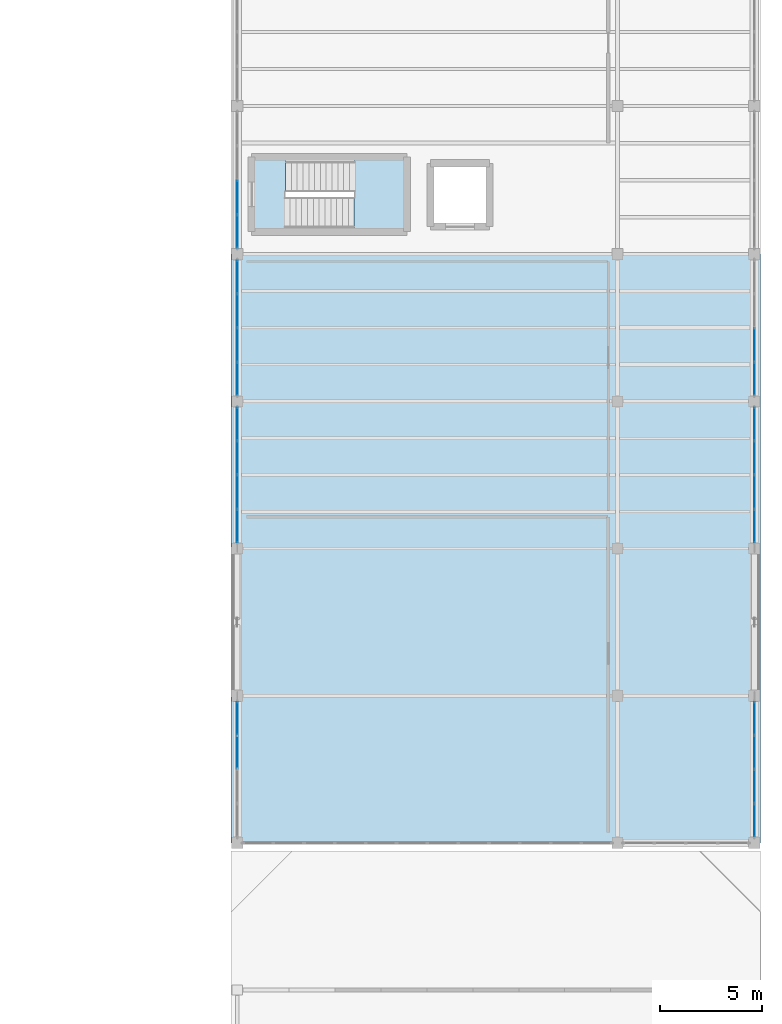
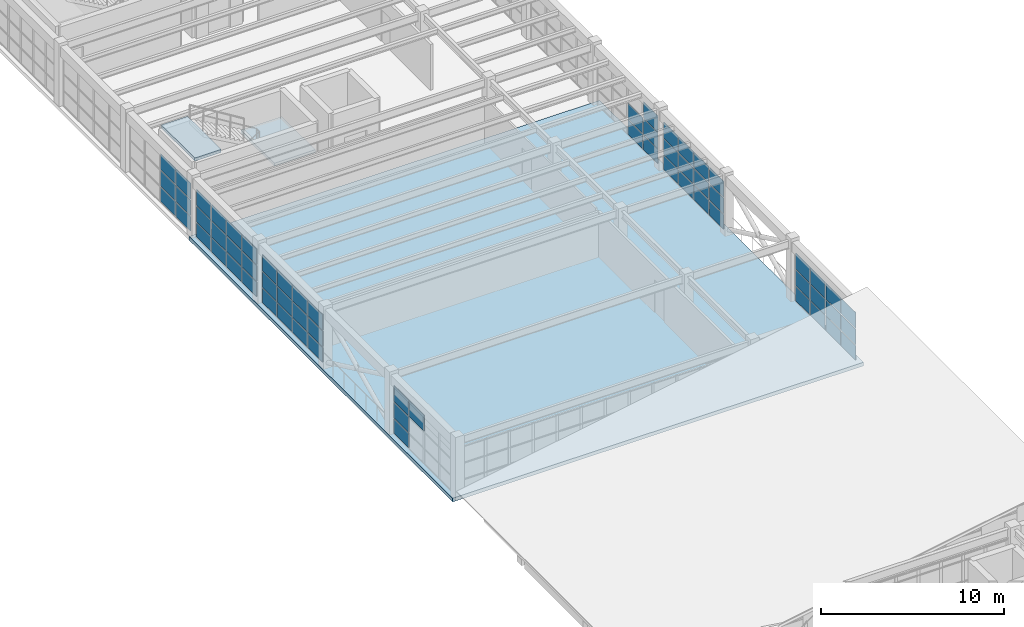
# One storey, part 47 of 66: 63 plates, 3 slabs, 8 elements without a shape of their own.
"""IFC4 building model written with IfcOpenShell, lengths in metres."""

from ifc_helpers import new_model, si_unit, direction, frame, origin, origin_2d, place, context, subcontext, project, spatial, polyline, rectangle, outline, extrude, material, layer, layer_set, type_object, element, aggregate, save


model = new_model("IFC4")

# Units and contexts
model_context = context("Model", 3, precision=1e-05, world=origin(), true_north=direction((0.0, 1.0)))
body_context = subcontext(model_context, "Body", "Model", "MODEL_VIEW")
ifc_project = project(units=[si_unit("LENGTHUNIT", "METRE"), si_unit("AREAUNIT", "SQUARE_METRE"), si_unit("VOLUMEUNIT", "CUBIC_METRE"), si_unit("PLANEANGLEUNIT", "RADIAN"), si_unit("MASSUNIT", "GRAM", prefix="KILO")], contexts=[model_context])

# Site, building, storey
site_placement = place(None, origin())
site = spatial("IfcSite", under=ifc_project, at=site_placement, CompositionType="ELEMENT")
building_placement = place(site_placement, origin())
building = spatial("IfcBuilding", under=site, at=building_placement, Name="Candilejo Ridge Gondola Terminal", CompositionType="ELEMENT")
storey_placement = place(building_placement, frame((0.0, 0.0, 14.39990234375)))
storey = spatial("IfcBuildingStorey", under=building, at=storey_placement, Name="L03", CompositionType="ELEMENT", Elevation=14.39990234375)

# Curtain wall, plates
ifc_material_1 = material(Name="Anodised aluminium AA 6063-T6", Category="aluminium")
ifc_layer_1 = layer(ifc_material_1, 0.169921875)
ifc_layer_set_1 = layer_set([ifc_layer_1], Name="ARC-CW-TOWER-3000-670X329")
curtain_wall_type_1 = type_object("IfcCurtainWallType", Name="ARC-CW-TOWER-3000-670X329", PredefinedType="NOTDEFINED", material=ifc_layer_set_1)
curtain_wall_1_placement = place(storey_placement, origin())
curtain_wall_1 = element("IfcCurtainWall", 1, at=curtain_wall_1_placement, inside=storey, type_object=curtain_wall_type_1, Name="Curtain wall V5 L03-196", PredefinedType="NOTDEFINED")
ifc_material_2 = material(Name="Low-E laminated double glazing 6+12A+6+1.52PVB+6 mm", Category="glass")
ifc_layer_2 = layer(ifc_material_2, 0.028076171875)
ifc_layer_set_2 = layer_set([ifc_layer_2], Name="ARC-CW-GLAZ-PANEL")
plate_type = type_object("IfcPlateType", Name="ARC-CW-GLAZ-PANEL", PredefinedType="CURTAIN_PANEL", material=ifc_layer_set_2)
plate_1_placement = place(storey_placement, frame((150.0, 74.6875, 2.18017578125), z_axis=(0.0, 0.0, 1.0), x_axis=(0.0, 1.0, 0.0)))
plate_1 = element("IfcPlate", 2, at=plate_1_placement, type_object=plate_type, Name="CW-67X32 panel 3.3", PredefinedType="CURTAIN_PANEL", context=body_context, shape_type="SweptSolid", body=[
    extrude(rectangle(XDim=1.610107421875, YDim=0.028076171875, at=origin_2d()), origin(), (0.0, 0.0, 1.0), 1.050048828125),
])
plate_2_placement = place(storey_placement, frame((150.0, 76.34619140625, 0.06005859375), z_axis=(0.0, 0.0, 1.0), x_axis=(0.0, 1.0, 0.0)))
plate_2 = element("IfcPlate", 3, at=plate_2_placement, type_object=plate_type, Name="CW-67X32 panel 4.1", PredefinedType="CURTAIN_PANEL", context=body_context, shape_type="SweptSolid", body=[
    extrude(rectangle(XDim=1.577392578125, YDim=0.028076171875, at=origin_2d()), origin(), (0.0, 0.0, 1.0), 0.9599609375),
])
plate_3_placement = place(storey_placement, frame((150.0, 76.34619140625, 1.080078125), z_axis=(0.0, 0.0, 1.0), x_axis=(0.0, 1.0, 0.0)))
plate_3 = element("IfcPlate", 4, at=plate_3_placement, type_object=plate_type, Name="CW-67X32 panel 4.2", PredefinedType="CURTAIN_PANEL", context=body_context, shape_type="SweptSolid", body=[
    extrude(rectangle(XDim=1.577392578125, YDim=0.028076171875, at=origin_2d()), origin(), (0.0, 0.0, 1.0), 1.0400390625),
])
plate_4_placement = place(storey_placement, frame((150.0, 76.34619140625, 2.18017578125), z_axis=(0.0, 0.0, 1.0), x_axis=(0.0, 1.0, 0.0)))
plate_4 = element("IfcPlate", 5, at=plate_4_placement, type_object=plate_type, Name="CW-67X32 panel 4.3", PredefinedType="CURTAIN_PANEL", context=body_context, shape_type="SweptSolid", body=[
    extrude(rectangle(XDim=1.577392578125, YDim=0.028076171875, at=origin_2d()), origin(), (0.0, 0.0, 1.0), 1.050048828125),
])
aggregate(curtain_wall_1, [plate_1, plate_2, plate_3, plate_4])

curtain_wall_2_placement = place(storey_placement, origin())
curtain_wall_2 = element("IfcCurtainWall", 6, at=curtain_wall_2_placement, inside=storey, type_object=curtain_wall_type_1, Name="Curtain wall V5 L03-197", PredefinedType="NOTDEFINED")
plate_5_placement = place(storey_placement, frame((175.300048828125, 71.353759765625, 0.06005859375), z_axis=(0.0, 0.0, 1.0), x_axis=(0.0, 1.0, 0.0)))
plate_5 = element("IfcPlate", 7, at=plate_5_placement, type_object=plate_type, Name="CW-67X32 panel 1.1", PredefinedType="CURTAIN_PANEL", context=body_context, shape_type="SweptSolid", body=[
    extrude(rectangle(XDim=1.577392578125, YDim=0.028076171875, at=origin_2d()), origin(), (0.0, 0.0, 1.0), 0.9599609375),
])
plate_6_placement = place(storey_placement, frame((175.300048828125, 71.353759765625, 1.080078125), z_axis=(0.0, 0.0, 1.0), x_axis=(0.0, 1.0, 0.0)))
plate_6 = element("IfcPlate", 8, at=plate_6_placement, type_object=plate_type, Name="CW-67X32 panel 1.2", PredefinedType="CURTAIN_PANEL", context=body_context, shape_type="SweptSolid", body=[
    extrude(rectangle(XDim=1.577392578125, YDim=0.028076171875, at=origin_2d()), origin(), (0.0, 0.0, 1.0), 1.0400390625),
])
plate_7_placement = place(storey_placement, frame((175.300048828125, 71.353759765625, 2.18017578125), z_axis=(0.0, 0.0, 1.0), x_axis=(0.0, 1.0, 0.0)))
plate_7 = element("IfcPlate", 9, at=plate_7_placement, type_object=plate_type, Name="CW-67X32 panel 1.3", PredefinedType="CURTAIN_PANEL", context=body_context, shape_type="SweptSolid", body=[
    extrude(rectangle(XDim=1.577392578125, YDim=0.028076171875, at=origin_2d()), origin(), (0.0, 0.0, 1.0), 1.050048828125),
])
plate_8_placement = place(storey_placement, frame((175.300048828125, 73.012451171875, 0.06005859375), z_axis=(0.0, 0.0, 1.0), x_axis=(0.0, 1.0, 0.0)))
plate_8 = element("IfcPlate", 10, at=plate_8_placement, type_object=plate_type, Name="CW-67X32 panel 2.1", PredefinedType="CURTAIN_PANEL", context=body_context, shape_type="SweptSolid", body=[
    extrude(rectangle(XDim=1.610107421875, YDim=0.028076171875, at=origin_2d()), origin(), (0.0, 0.0, 1.0), 0.9599609375),
])
plate_9_placement = place(storey_placement, frame((175.300048828125, 73.012451171875, 1.080078125), z_axis=(0.0, 0.0, 1.0), x_axis=(0.0, 1.0, 0.0)))
plate_9 = element("IfcPlate", 11, at=plate_9_placement, type_object=plate_type, Name="CW-67X32 panel 2.2", PredefinedType="CURTAIN_PANEL", context=body_context, shape_type="SweptSolid", body=[
    extrude(rectangle(XDim=1.610107421875, YDim=0.028076171875, at=origin_2d()), origin(), (0.0, 0.0, 1.0), 1.0400390625),
])
plate_10_placement = place(storey_placement, frame((175.300048828125, 73.012451171875, 2.18017578125), z_axis=(0.0, 0.0, 1.0), x_axis=(0.0, 1.0, 0.0)))
plate_10 = element("IfcPlate", 12, at=plate_10_placement, type_object=plate_type, Name="CW-67X32 panel 2.3", PredefinedType="CURTAIN_PANEL", context=body_context, shape_type="SweptSolid", body=[
    extrude(rectangle(XDim=1.610107421875, YDim=0.028076171875, at=origin_2d()), origin(), (0.0, 0.0, 1.0), 1.050048828125),
])
plate_11_placement = place(storey_placement, frame((175.300048828125, 74.6875, 0.06005859375), z_axis=(0.0, 0.0, 1.0), x_axis=(0.0, 1.0, 0.0)))
plate_11 = element("IfcPlate", 13, at=plate_11_placement, type_object=plate_type, Name="CW-67X32 panel 3.1", PredefinedType="CURTAIN_PANEL", context=body_context, shape_type="SweptSolid", body=[
    extrude(rectangle(XDim=1.610107421875, YDim=0.028076171875, at=origin_2d()), origin(), (0.0, 0.0, 1.0), 0.9599609375),
])
plate_12_placement = place(storey_placement, frame((175.300048828125, 74.6875, 1.080078125), z_axis=(0.0, 0.0, 1.0), x_axis=(0.0, 1.0, 0.0)))
plate_12 = element("IfcPlate", 14, at=plate_12_placement, type_object=plate_type, Name="CW-67X32 panel 3.2", PredefinedType="CURTAIN_PANEL", context=body_context, shape_type="SweptSolid", body=[
    extrude(rectangle(XDim=1.610107421875, YDim=0.028076171875, at=origin_2d()), origin(), (0.0, 0.0, 1.0), 1.0400390625),
])
plate_13_placement = place(storey_placement, frame((175.300048828125, 74.6875, 2.18017578125), z_axis=(0.0, 0.0, 1.0), x_axis=(0.0, 1.0, 0.0)))
plate_13 = element("IfcPlate", 15, at=plate_13_placement, type_object=plate_type, Name="CW-67X32 panel 3.3", PredefinedType="CURTAIN_PANEL", context=body_context, shape_type="SweptSolid", body=[
    extrude(rectangle(XDim=1.610107421875, YDim=0.028076171875, at=origin_2d()), origin(), (0.0, 0.0, 1.0), 1.050048828125),
])
plate_14_placement = place(storey_placement, frame((175.300048828125, 76.34619140625, 0.06005859375), z_axis=(0.0, 0.0, 1.0), x_axis=(0.0, 1.0, 0.0)))
plate_14 = element("IfcPlate", 16, at=plate_14_placement, type_object=plate_type, Name="CW-67X32 panel 4.1", PredefinedType="CURTAIN_PANEL", context=body_context, shape_type="SweptSolid", body=[
    extrude(rectangle(XDim=1.577392578125, YDim=0.028076171875, at=origin_2d()), origin(), (0.0, 0.0, 1.0), 0.9599609375),
])
plate_15_placement = place(storey_placement, frame((175.300048828125, 76.34619140625, 1.080078125), z_axis=(0.0, 0.0, 1.0), x_axis=(0.0, 1.0, 0.0)))
plate_15 = element("IfcPlate", 17, at=plate_15_placement, type_object=plate_type, Name="CW-67X32 panel 4.2", PredefinedType="CURTAIN_PANEL", context=body_context, shape_type="SweptSolid", body=[
    extrude(rectangle(XDim=1.577392578125, YDim=0.028076171875, at=origin_2d()), origin(), (0.0, 0.0, 1.0), 1.0400390625),
])
plate_16_placement = place(storey_placement, frame((175.300048828125, 76.34619140625, 2.18017578125), z_axis=(0.0, 0.0, 1.0), x_axis=(0.0, 1.0, 0.0)))
plate_16 = element("IfcPlate", 18, at=plate_16_placement, type_object=plate_type, Name="CW-67X32 panel 4.3", PredefinedType="CURTAIN_PANEL", context=body_context, shape_type="SweptSolid", body=[
    extrude(rectangle(XDim=1.577392578125, YDim=0.028076171875, at=origin_2d()), origin(), (0.0, 0.0, 1.0), 1.050048828125),
])
aggregate(curtain_wall_2, [plate_5, plate_6, plate_7, plate_8, plate_9, plate_10, plate_11, plate_12, plate_13, plate_14, plate_15, plate_16])

curtain_wall_3_placement = place(storey_placement, origin())
curtain_wall_3 = element("IfcCurtainWall", 19, at=curtain_wall_3_placement, inside=storey, type_object=curtain_wall_type_1, Name="Curtain wall V5 L03-198", PredefinedType="NOTDEFINED")
plate_17_placement = place(storey_placement, frame((150.0, 85.753662109375, 0.06005859375), z_axis=(0.0, 0.0, 1.0), x_axis=(0.0, 1.0, 0.0)))
plate_17 = element("IfcPlate", 20, at=plate_17_placement, type_object=plate_type, Name="CW-67X32 panel 1.1", PredefinedType="CURTAIN_PANEL", context=body_context, shape_type="SweptSolid", body=[
    extrude(rectangle(XDim=1.577392578125, YDim=0.028076171875, at=origin_2d()), origin(), (0.0, 0.0, 1.0), 0.9599609375),
])
plate_18_placement = place(storey_placement, frame((150.0, 85.753662109375, 1.080078125), z_axis=(0.0, 0.0, 1.0), x_axis=(0.0, 1.0, 0.0)))
plate_18 = element("IfcPlate", 21, at=plate_18_placement, type_object=plate_type, Name="CW-67X32 panel 1.2", PredefinedType="CURTAIN_PANEL", context=body_context, shape_type="SweptSolid", body=[
    extrude(rectangle(XDim=1.577392578125, YDim=0.028076171875, at=origin_2d()), origin(), (0.0, 0.0, 1.0), 1.0400390625),
])
plate_19_placement = place(storey_placement, frame((150.0, 85.753662109375, 2.18017578125), z_axis=(0.0, 0.0, 1.0), x_axis=(0.0, 1.0, 0.0)))
plate_19 = element("IfcPlate", 22, at=plate_19_placement, type_object=plate_type, Name="CW-67X32 panel 1.3", PredefinedType="CURTAIN_PANEL", context=body_context, shape_type="SweptSolid", body=[
    extrude(rectangle(XDim=1.577392578125, YDim=0.028076171875, at=origin_2d()), origin(), (0.0, 0.0, 1.0), 1.050048828125),
])
plate_20_placement = place(storey_placement, frame((150.0, 87.41259765625, 0.06005859375), z_axis=(0.0, 0.0, 1.0), x_axis=(0.0, 1.0, 0.0)))
plate_20 = element("IfcPlate", 23, at=plate_20_placement, type_object=plate_type, Name="CW-67X32 panel 2.1", PredefinedType="CURTAIN_PANEL", context=body_context, shape_type="SweptSolid", body=[
    extrude(rectangle(XDim=1.610107421875, YDim=0.028076171875, at=origin_2d()), origin(), (0.0, 0.0, 1.0), 0.9599609375),
])
plate_21_placement = place(storey_placement, frame((150.0, 87.41259765625, 1.080078125), z_axis=(0.0, 0.0, 1.0), x_axis=(0.0, 1.0, 0.0)))
plate_21 = element("IfcPlate", 24, at=plate_21_placement, type_object=plate_type, Name="CW-67X32 panel 2.2", PredefinedType="CURTAIN_PANEL", context=body_context, shape_type="SweptSolid", body=[
    extrude(rectangle(XDim=1.610107421875, YDim=0.028076171875, at=origin_2d()), origin(), (0.0, 0.0, 1.0), 1.0400390625),
])
plate_22_placement = place(storey_placement, frame((150.0, 87.41259765625, 2.18017578125), z_axis=(0.0, 0.0, 1.0), x_axis=(0.0, 1.0, 0.0)))
plate_22 = element("IfcPlate", 25, at=plate_22_placement, type_object=plate_type, Name="CW-67X32 panel 2.3", PredefinedType="CURTAIN_PANEL", context=body_context, shape_type="SweptSolid", body=[
    extrude(rectangle(XDim=1.610107421875, YDim=0.028076171875, at=origin_2d()), origin(), (0.0, 0.0, 1.0), 1.050048828125),
])
plate_23_placement = place(storey_placement, frame((150.0, 89.08740234375, 0.06005859375), z_axis=(0.0, 0.0, 1.0), x_axis=(0.0, 1.0, 0.0)))
plate_23 = element("IfcPlate", 26, at=plate_23_placement, type_object=plate_type, Name="CW-67X32 panel 3.1", PredefinedType="CURTAIN_PANEL", context=body_context, shape_type="SweptSolid", body=[
    extrude(rectangle(XDim=1.610107421875, YDim=0.028076171875, at=origin_2d()), origin(), (0.0, 0.0, 1.0), 0.9599609375),
])
plate_24_placement = place(storey_placement, frame((150.0, 89.08740234375, 1.080078125), z_axis=(0.0, 0.0, 1.0), x_axis=(0.0, 1.0, 0.0)))
plate_24 = element("IfcPlate", 27, at=plate_24_placement, type_object=plate_type, Name="CW-67X32 panel 3.2", PredefinedType="CURTAIN_PANEL", context=body_context, shape_type="SweptSolid", body=[
    extrude(rectangle(XDim=1.610107421875, YDim=0.028076171875, at=origin_2d()), origin(), (0.0, 0.0, 1.0), 1.0400390625),
])
plate_25_placement = place(storey_placement, frame((150.0, 89.08740234375, 2.18017578125), z_axis=(0.0, 0.0, 1.0), x_axis=(0.0, 1.0, 0.0)))
plate_25 = element("IfcPlate", 28, at=plate_25_placement, type_object=plate_type, Name="CW-67X32 panel 3.3", PredefinedType="CURTAIN_PANEL", context=body_context, shape_type="SweptSolid", body=[
    extrude(rectangle(XDim=1.610107421875, YDim=0.028076171875, at=origin_2d()), origin(), (0.0, 0.0, 1.0), 1.050048828125),
])
plate_26_placement = place(storey_placement, frame((150.0, 90.746337890625, 0.06005859375), z_axis=(0.0, 0.0, 1.0), x_axis=(0.0, 1.0, 0.0)))
plate_26 = element("IfcPlate", 29, at=plate_26_placement, type_object=plate_type, Name="CW-67X32 panel 4.1", PredefinedType="CURTAIN_PANEL", context=body_context, shape_type="SweptSolid", body=[
    extrude(rectangle(XDim=1.577392578125, YDim=0.028076171875, at=origin_2d()), origin(), (0.0, 0.0, 1.0), 0.9599609375),
])
plate_27_placement = place(storey_placement, frame((150.0, 90.746337890625, 1.080078125), z_axis=(0.0, 0.0, 1.0), x_axis=(0.0, 1.0, 0.0)))
plate_27 = element("IfcPlate", 30, at=plate_27_placement, type_object=plate_type, Name="CW-67X32 panel 4.2", PredefinedType="CURTAIN_PANEL", context=body_context, shape_type="SweptSolid", body=[
    extrude(rectangle(XDim=1.577392578125, YDim=0.028076171875, at=origin_2d()), origin(), (0.0, 0.0, 1.0), 1.0400390625),
])
plate_28_placement = place(storey_placement, frame((150.0, 90.746337890625, 2.18017578125), z_axis=(0.0, 0.0, 1.0), x_axis=(0.0, 1.0, 0.0)))
plate_28 = element("IfcPlate", 31, at=plate_28_placement, type_object=plate_type, Name="CW-67X32 panel 4.3", PredefinedType="CURTAIN_PANEL", context=body_context, shape_type="SweptSolid", body=[
    extrude(rectangle(XDim=1.577392578125, YDim=0.028076171875, at=origin_2d()), origin(), (0.0, 0.0, 1.0), 1.050048828125),
])
aggregate(curtain_wall_3, [plate_17, plate_18, plate_19, plate_20, plate_21, plate_22, plate_23, plate_24, plate_25, plate_26, plate_27, plate_28])

curtain_wall_4_placement = place(storey_placement, origin())
curtain_wall_4 = element("IfcCurtainWall", 32, at=curtain_wall_4_placement, inside=storey, type_object=curtain_wall_type_1, Name="Curtain wall V5 L03-199", PredefinedType="NOTDEFINED")
plate_29_placement = place(storey_placement, frame((175.300048828125, 85.753662109375, 0.06005859375), z_axis=(0.0, 0.0, 1.0), x_axis=(0.0, 1.0, 0.0)))
plate_29 = element("IfcPlate", 33, at=plate_29_placement, type_object=plate_type, Name="CW-67X32 panel 1.1", PredefinedType="CURTAIN_PANEL", context=body_context, shape_type="SweptSolid", body=[
    extrude(rectangle(XDim=1.577392578125, YDim=0.028076171875, at=origin_2d()), origin(), (0.0, 0.0, 1.0), 0.9599609375),
])
plate_30_placement = place(storey_placement, frame((175.300048828125, 85.753662109375, 1.080078125), z_axis=(0.0, 0.0, 1.0), x_axis=(0.0, 1.0, 0.0)))
plate_30 = element("IfcPlate", 34, at=plate_30_placement, type_object=plate_type, Name="CW-67X32 panel 1.2", PredefinedType="CURTAIN_PANEL", context=body_context, shape_type="SweptSolid", body=[
    extrude(rectangle(XDim=1.577392578125, YDim=0.028076171875, at=origin_2d()), origin(), (0.0, 0.0, 1.0), 1.0400390625),
])
plate_31_placement = place(storey_placement, frame((175.300048828125, 85.753662109375, 2.18017578125), z_axis=(0.0, 0.0, 1.0), x_axis=(0.0, 1.0, 0.0)))
plate_31 = element("IfcPlate", 35, at=plate_31_placement, type_object=plate_type, Name="CW-67X32 panel 1.3", PredefinedType="CURTAIN_PANEL", context=body_context, shape_type="SweptSolid", body=[
    extrude(rectangle(XDim=1.577392578125, YDim=0.028076171875, at=origin_2d()), origin(), (0.0, 0.0, 1.0), 1.050048828125),
])
plate_32_placement = place(storey_placement, frame((175.300048828125, 87.41259765625, 0.06005859375), z_axis=(0.0, 0.0, 1.0), x_axis=(0.0, 1.0, 0.0)))
plate_32 = element("IfcPlate", 36, at=plate_32_placement, type_object=plate_type, Name="CW-67X32 panel 2.1", PredefinedType="CURTAIN_PANEL", context=body_context, shape_type="SweptSolid", body=[
    extrude(rectangle(XDim=1.610107421875, YDim=0.028076171875, at=origin_2d()), origin(), (0.0, 0.0, 1.0), 0.9599609375),
])
plate_33_placement = place(storey_placement, frame((175.300048828125, 87.41259765625, 1.080078125), z_axis=(0.0, 0.0, 1.0), x_axis=(0.0, 1.0, 0.0)))
plate_33 = element("IfcPlate", 37, at=plate_33_placement, type_object=plate_type, Name="CW-67X32 panel 2.2", PredefinedType="CURTAIN_PANEL", context=body_context, shape_type="SweptSolid", body=[
    extrude(rectangle(XDim=1.610107421875, YDim=0.028076171875, at=origin_2d()), origin(), (0.0, 0.0, 1.0), 1.0400390625),
])
plate_34_placement = place(storey_placement, frame((175.300048828125, 87.41259765625, 2.18017578125), z_axis=(0.0, 0.0, 1.0), x_axis=(0.0, 1.0, 0.0)))
plate_34 = element("IfcPlate", 38, at=plate_34_placement, type_object=plate_type, Name="CW-67X32 panel 2.3", PredefinedType="CURTAIN_PANEL", context=body_context, shape_type="SweptSolid", body=[
    extrude(rectangle(XDim=1.610107421875, YDim=0.028076171875, at=origin_2d()), origin(), (0.0, 0.0, 1.0), 1.050048828125),
])
plate_35_placement = place(storey_placement, frame((175.300048828125, 89.08740234375, 0.06005859375), z_axis=(0.0, 0.0, 1.0), x_axis=(0.0, 1.0, 0.0)))
plate_35 = element("IfcPlate", 39, at=plate_35_placement, type_object=plate_type, Name="CW-67X32 panel 3.1", PredefinedType="CURTAIN_PANEL", context=body_context, shape_type="SweptSolid", body=[
    extrude(rectangle(XDim=1.610107421875, YDim=0.028076171875, at=origin_2d()), origin(), (0.0, 0.0, 1.0), 0.9599609375),
])
plate_36_placement = place(storey_placement, frame((175.300048828125, 89.08740234375, 1.080078125), z_axis=(0.0, 0.0, 1.0), x_axis=(0.0, 1.0, 0.0)))
plate_36 = element("IfcPlate", 40, at=plate_36_placement, type_object=plate_type, Name="CW-67X32 panel 3.2", PredefinedType="CURTAIN_PANEL", context=body_context, shape_type="SweptSolid", body=[
    extrude(rectangle(XDim=1.610107421875, YDim=0.028076171875, at=origin_2d()), origin(), (0.0, 0.0, 1.0), 1.0400390625),
])
plate_37_placement = place(storey_placement, frame((175.300048828125, 89.08740234375, 2.18017578125), z_axis=(0.0, 0.0, 1.0), x_axis=(0.0, 1.0, 0.0)))
plate_37 = element("IfcPlate", 41, at=plate_37_placement, type_object=plate_type, Name="CW-67X32 panel 3.3", PredefinedType="CURTAIN_PANEL", context=body_context, shape_type="SweptSolid", body=[
    extrude(rectangle(XDim=1.610107421875, YDim=0.028076171875, at=origin_2d()), origin(), (0.0, 0.0, 1.0), 1.050048828125),
])
plate_38_placement = place(storey_placement, frame((175.300048828125, 90.746337890625, 0.06005859375), z_axis=(0.0, 0.0, 1.0), x_axis=(0.0, 1.0, 0.0)))
plate_38 = element("IfcPlate", 42, at=plate_38_placement, type_object=plate_type, Name="CW-67X32 panel 4.1", PredefinedType="CURTAIN_PANEL", context=body_context, shape_type="SweptSolid", body=[
    extrude(rectangle(XDim=1.577392578125, YDim=0.028076171875, at=origin_2d()), origin(), (0.0, 0.0, 1.0), 0.9599609375),
])
plate_39_placement = place(storey_placement, frame((175.300048828125, 90.746337890625, 1.080078125), z_axis=(0.0, 0.0, 1.0), x_axis=(0.0, 1.0, 0.0)))
plate_39 = element("IfcPlate", 43, at=plate_39_placement, type_object=plate_type, Name="CW-67X32 panel 4.2", PredefinedType="CURTAIN_PANEL", context=body_context, shape_type="SweptSolid", body=[
    extrude(rectangle(XDim=1.577392578125, YDim=0.028076171875, at=origin_2d()), origin(), (0.0, 0.0, 1.0), 1.0400390625),
])
plate_40_placement = place(storey_placement, frame((175.300048828125, 90.746337890625, 2.18017578125), z_axis=(0.0, 0.0, 1.0), x_axis=(0.0, 1.0, 0.0)))
plate_40 = element("IfcPlate", 44, at=plate_40_placement, type_object=plate_type, Name="CW-67X32 panel 4.3", PredefinedType="CURTAIN_PANEL", context=body_context, shape_type="SweptSolid", body=[
    extrude(rectangle(XDim=1.577392578125, YDim=0.028076171875, at=origin_2d()), origin(), (0.0, 0.0, 1.0), 1.050048828125),
])
aggregate(curtain_wall_4, [plate_29, plate_30, plate_31, plate_32, plate_33, plate_34, plate_35, plate_36, plate_37, plate_38, plate_39, plate_40])

curtain_wall_5_placement = place(storey_placement, origin())
curtain_wall_5 = element("IfcCurtainWall", 45, at=curtain_wall_5_placement, inside=storey, type_object=curtain_wall_type_1, Name="Curtain wall V5 L03-200", PredefinedType="NOTDEFINED")
plate_41_placement = place(storey_placement, frame((150.0, 92.953857421875, 0.06005859375), z_axis=(0.0, 0.0, 1.0), x_axis=(0.0, 1.0, 0.0)))
plate_41 = element("IfcPlate", 46, at=plate_41_placement, type_object=plate_type, Name="CW-67X32 panel 1.1", PredefinedType="CURTAIN_PANEL", context=body_context, shape_type="SweptSolid", body=[
    extrude(rectangle(XDim=1.577392578125, YDim=0.028076171875, at=origin_2d()), origin(), (0.0, 0.0, 1.0), 0.9599609375),
])
plate_42_placement = place(storey_placement, frame((150.0, 92.953857421875, 1.080078125), z_axis=(0.0, 0.0, 1.0), x_axis=(0.0, 1.0, 0.0)))
plate_42 = element("IfcPlate", 47, at=plate_42_placement, type_object=plate_type, Name="CW-67X32 panel 1.2", PredefinedType="CURTAIN_PANEL", context=body_context, shape_type="SweptSolid", body=[
    extrude(rectangle(XDim=1.577392578125, YDim=0.028076171875, at=origin_2d()), origin(), (0.0, 0.0, 1.0), 1.0400390625),
])
plate_43_placement = place(storey_placement, frame((150.0, 92.953857421875, 2.18017578125), z_axis=(0.0, 0.0, 1.0), x_axis=(0.0, 1.0, 0.0)))
plate_43 = element("IfcPlate", 48, at=plate_43_placement, type_object=plate_type, Name="CW-67X32 panel 1.3", PredefinedType="CURTAIN_PANEL", context=body_context, shape_type="SweptSolid", body=[
    extrude(rectangle(XDim=1.577392578125, YDim=0.028076171875, at=origin_2d()), origin(), (0.0, 0.0, 1.0), 1.050048828125),
])
plate_44_placement = place(storey_placement, frame((150.0, 94.612548828125, 0.06005859375), z_axis=(0.0, 0.0, 1.0), x_axis=(0.0, 1.0, 0.0)))
plate_44 = element("IfcPlate", 49, at=plate_44_placement, type_object=plate_type, Name="CW-67X32 panel 2.1", PredefinedType="CURTAIN_PANEL", context=body_context, shape_type="SweptSolid", body=[
    extrude(rectangle(XDim=1.610107421875, YDim=0.028076171875, at=origin_2d()), origin(), (0.0, 0.0, 1.0), 0.9599609375),
])
plate_45_placement = place(storey_placement, frame((150.0, 94.612548828125, 1.080078125), z_axis=(0.0, 0.0, 1.0), x_axis=(0.0, 1.0, 0.0)))
plate_45 = element("IfcPlate", 50, at=plate_45_placement, type_object=plate_type, Name="CW-67X32 panel 2.2", PredefinedType="CURTAIN_PANEL", context=body_context, shape_type="SweptSolid", body=[
    extrude(rectangle(XDim=1.610107421875, YDim=0.028076171875, at=origin_2d()), origin(), (0.0, 0.0, 1.0), 1.0400390625),
])
plate_46_placement = place(storey_placement, frame((150.0, 94.612548828125, 2.18017578125), z_axis=(0.0, 0.0, 1.0), x_axis=(0.0, 1.0, 0.0)))
plate_46 = element("IfcPlate", 51, at=plate_46_placement, type_object=plate_type, Name="CW-67X32 panel 2.3", PredefinedType="CURTAIN_PANEL", context=body_context, shape_type="SweptSolid", body=[
    extrude(rectangle(XDim=1.610107421875, YDim=0.028076171875, at=origin_2d()), origin(), (0.0, 0.0, 1.0), 1.050048828125),
])
plate_47_placement = place(storey_placement, frame((150.0, 96.28759765625, 0.06005859375), z_axis=(0.0, 0.0, 1.0), x_axis=(0.0, 1.0, 0.0)))
plate_47 = element("IfcPlate", 52, at=plate_47_placement, type_object=plate_type, Name="CW-67X32 panel 3.1", PredefinedType="CURTAIN_PANEL", context=body_context, shape_type="SweptSolid", body=[
    extrude(rectangle(XDim=1.610107421875, YDim=0.028076171875, at=origin_2d()), origin(), (0.0, 0.0, 1.0), 0.9599609375),
])
plate_48_placement = place(storey_placement, frame((150.0, 96.28759765625, 1.080078125), z_axis=(0.0, 0.0, 1.0), x_axis=(0.0, 1.0, 0.0)))
plate_48 = element("IfcPlate", 53, at=plate_48_placement, type_object=plate_type, Name="CW-67X32 panel 3.2", PredefinedType="CURTAIN_PANEL", context=body_context, shape_type="SweptSolid", body=[
    extrude(rectangle(XDim=1.610107421875, YDim=0.028076171875, at=origin_2d()), origin(), (0.0, 0.0, 1.0), 1.0400390625),
])
plate_49_placement = place(storey_placement, frame((150.0, 96.28759765625, 2.18017578125), z_axis=(0.0, 0.0, 1.0), x_axis=(0.0, 1.0, 0.0)))
plate_49 = element("IfcPlate", 54, at=plate_49_placement, type_object=plate_type, Name="CW-67X32 panel 3.3", PredefinedType="CURTAIN_PANEL", context=body_context, shape_type="SweptSolid", body=[
    extrude(rectangle(XDim=1.610107421875, YDim=0.028076171875, at=origin_2d()), origin(), (0.0, 0.0, 1.0), 1.050048828125),
])
plate_50_placement = place(storey_placement, frame((150.0, 97.9462890625, 0.06005859375), z_axis=(0.0, 0.0, 1.0), x_axis=(0.0, 1.0, 0.0)))
plate_50 = element("IfcPlate", 55, at=plate_50_placement, type_object=plate_type, Name="CW-67X32 panel 4.1", PredefinedType="CURTAIN_PANEL", context=body_context, shape_type="SweptSolid", body=[
    extrude(rectangle(XDim=1.577392578125, YDim=0.028076171875, at=origin_2d()), origin(), (0.0, 0.0, 1.0), 0.9599609375),
])
plate_51_placement = place(storey_placement, frame((150.0, 97.9462890625, 1.080078125), z_axis=(0.0, 0.0, 1.0), x_axis=(0.0, 1.0, 0.0)))
plate_51 = element("IfcPlate", 56, at=plate_51_placement, type_object=plate_type, Name="CW-67X32 panel 4.2", PredefinedType="CURTAIN_PANEL", context=body_context, shape_type="SweptSolid", body=[
    extrude(rectangle(XDim=1.577392578125, YDim=0.028076171875, at=origin_2d()), origin(), (0.0, 0.0, 1.0), 1.0400390625),
])
plate_52_placement = place(storey_placement, frame((150.0, 97.9462890625, 2.18017578125), z_axis=(0.0, 0.0, 1.0), x_axis=(0.0, 1.0, 0.0)))
plate_52 = element("IfcPlate", 57, at=plate_52_placement, type_object=plate_type, Name="CW-67X32 panel 4.3", PredefinedType="CURTAIN_PANEL", context=body_context, shape_type="SweptSolid", body=[
    extrude(rectangle(XDim=1.577392578125, YDim=0.028076171875, at=origin_2d()), origin(), (0.0, 0.0, 1.0), 1.050048828125),
])
aggregate(curtain_wall_5, [plate_41, plate_42, plate_43, plate_44, plate_45, plate_46, plate_47, plate_48, plate_49, plate_50, plate_51, plate_52])

curtain_wall_6_placement = place(storey_placement, origin())
curtain_wall_6 = element("IfcCurtainWall", 58, at=curtain_wall_6_placement, inside=storey, type_object=curtain_wall_type_1, Name="Curtain wall V5 L03-201", PredefinedType="NOTDEFINED")
plate_53_placement = place(storey_placement, frame((175.300048828125, 92.953857421875, 0.06005859375), z_axis=(0.0, 0.0, 1.0), x_axis=(0.0, 1.0, 0.0)))
plate_53 = element("IfcPlate", 59, at=plate_53_placement, type_object=plate_type, Name="CW-67X32 panel 1.1", PredefinedType="CURTAIN_PANEL", context=body_context, shape_type="SweptSolid", body=[
    extrude(rectangle(XDim=1.577392578125, YDim=0.028076171875, at=origin_2d()), origin(), (0.0, 0.0, 1.0), 0.9599609375),
])
plate_54_placement = place(storey_placement, frame((175.300048828125, 92.953857421875, 1.080078125), z_axis=(0.0, 0.0, 1.0), x_axis=(0.0, 1.0, 0.0)))
plate_54 = element("IfcPlate", 60, at=plate_54_placement, type_object=plate_type, Name="CW-67X32 panel 1.2", PredefinedType="CURTAIN_PANEL", context=body_context, shape_type="SweptSolid", body=[
    extrude(rectangle(XDim=1.577392578125, YDim=0.028076171875, at=origin_2d()), origin(), (0.0, 0.0, 1.0), 1.0400390625),
])
plate_55_placement = place(storey_placement, frame((175.300048828125, 92.953857421875, 2.18017578125), z_axis=(0.0, 0.0, 1.0), x_axis=(0.0, 1.0, 0.0)))
plate_55 = element("IfcPlate", 61, at=plate_55_placement, type_object=plate_type, Name="CW-67X32 panel 1.3", PredefinedType="CURTAIN_PANEL", context=body_context, shape_type="SweptSolid", body=[
    extrude(rectangle(XDim=1.577392578125, YDim=0.028076171875, at=origin_2d()), origin(), (0.0, 0.0, 1.0), 1.050048828125),
])
plate_56_placement = place(storey_placement, frame((175.300048828125, 94.612548828125, 0.06005859375), z_axis=(0.0, 0.0, 1.0), x_axis=(0.0, 1.0, 0.0)))
plate_56 = element("IfcPlate", 62, at=plate_56_placement, type_object=plate_type, Name="CW-67X32 panel 2.1", PredefinedType="CURTAIN_PANEL", context=body_context, shape_type="SweptSolid", body=[
    extrude(rectangle(XDim=1.610107421875, YDim=0.028076171875, at=origin_2d()), origin(), (0.0, 0.0, 1.0), 0.9599609375),
])
plate_57_placement = place(storey_placement, frame((175.300048828125, 94.612548828125, 1.080078125), z_axis=(0.0, 0.0, 1.0), x_axis=(0.0, 1.0, 0.0)))
plate_57 = element("IfcPlate", 63, at=plate_57_placement, type_object=plate_type, Name="CW-67X32 panel 2.2", PredefinedType="CURTAIN_PANEL", context=body_context, shape_type="SweptSolid", body=[
    extrude(rectangle(XDim=1.610107421875, YDim=0.028076171875, at=origin_2d()), origin(), (0.0, 0.0, 1.0), 1.0400390625),
])
aggregate(curtain_wall_6, [plate_53, plate_54, plate_55, plate_56, plate_57])

ifc_material_3 = material(Name="Anodised aluminium AA 6063-T6", Category="aluminium")
ifc_layer_3 = layer(ifc_material_3, 0.169921875)
ifc_layer_set_3 = layer_set([ifc_layer_3], Name="ARC-CW-TOWER-3000-675X329")
curtain_wall_type_2 = type_object("IfcCurtainWallType", Name="ARC-CW-TOWER-3000-675X329", PredefinedType="NOTDEFINED", material=ifc_layer_set_3)
curtain_wall_7_placement = place(storey_placement, origin())
curtain_wall_7 = element("IfcCurtainWall", 64, at=curtain_wall_7_placement, inside=storey, type_object=curtain_wall_type_2, Name="Curtain wall V5 L03-202", PredefinedType="NOTDEFINED")
plate_58_placement = place(storey_placement, frame((150.0, 100.159912109375, 0.06005859375), z_axis=(0.0, 0.0, 1.0), x_axis=(0.0, 1.0, 0.0)))
plate_58 = element("IfcPlate", 65, at=plate_58_placement, type_object=plate_type, Name="CW-67X32 panel 1.1", PredefinedType="CURTAIN_PANEL", context=body_context, shape_type="SweptSolid", body=[
    extrude(rectangle(XDim=1.590087890625, YDim=0.028076171875, at=origin_2d()), origin(), (0.0, 0.0, 1.0), 0.9599609375),
])
plate_59_placement = place(storey_placement, frame((150.0, 100.159912109375, 1.080078125), z_axis=(0.0, 0.0, 1.0), x_axis=(0.0, 1.0, 0.0)))
plate_59 = element("IfcPlate", 66, at=plate_59_placement, type_object=plate_type, Name="CW-67X32 panel 1.2", PredefinedType="CURTAIN_PANEL", context=body_context, shape_type="SweptSolid", body=[
    extrude(rectangle(XDim=1.590087890625, YDim=0.028076171875, at=origin_2d()), origin(), (0.0, 0.0, 1.0), 1.0400390625),
])
plate_60_placement = place(storey_placement, frame((150.0, 100.159912109375, 2.18017578125), z_axis=(0.0, 0.0, 1.0), x_axis=(0.0, 1.0, 0.0)))
plate_60 = element("IfcPlate", 67, at=plate_60_placement, type_object=plate_type, Name="CW-67X32 panel 1.3", PredefinedType="CURTAIN_PANEL", context=body_context, shape_type="SweptSolid", body=[
    extrude(rectangle(XDim=1.590087890625, YDim=0.028076171875, at=origin_2d()), origin(), (0.0, 0.0, 1.0), 1.050048828125),
])
plate_61_placement = place(storey_placement, frame((150.0, 101.831298828125, 0.06005859375), z_axis=(0.0, 0.0, 1.0), x_axis=(0.0, 1.0, 0.0)))
plate_61 = element("IfcPlate", 68, at=plate_61_placement, type_object=plate_type, Name="CW-67X32 panel 2.1", PredefinedType="CURTAIN_PANEL", context=body_context, shape_type="SweptSolid", body=[
    extrude(rectangle(XDim=1.62255859375, YDim=0.028076171875, at=origin_2d()), origin(), (0.0, 0.0, 1.0), 0.9599609375),
])
plate_62_placement = place(storey_placement, frame((150.0, 101.831298828125, 1.080078125), z_axis=(0.0, 0.0, 1.0), x_axis=(0.0, 1.0, 0.0)))
plate_62 = element("IfcPlate", 69, at=plate_62_placement, type_object=plate_type, Name="CW-67X32 panel 2.2", PredefinedType="CURTAIN_PANEL", context=body_context, shape_type="SweptSolid", body=[
    extrude(rectangle(XDim=1.62255859375, YDim=0.028076171875, at=origin_2d()), origin(), (0.0, 0.0, 1.0), 1.0400390625),
])
plate_63_placement = place(storey_placement, frame((150.0, 101.831298828125, 2.18017578125), z_axis=(0.0, 0.0, 1.0), x_axis=(0.0, 1.0, 0.0)))
plate_63 = element("IfcPlate", 70, at=plate_63_placement, type_object=plate_type, Name="CW-67X32 panel 2.3", PredefinedType="CURTAIN_PANEL", context=body_context, shape_type="SweptSolid", body=[
    extrude(rectangle(XDim=1.62255859375, YDim=0.028076171875, at=origin_2d()), origin(), (0.0, 0.0, 1.0), 1.050048828125),
])
aggregate(curtain_wall_7, [plate_58, plate_59, plate_60, plate_61, plate_62, plate_63])

# Slab
ifc_material_4 = material(Name="Concrete f'c 35 MPa (C35/45)", Category="concrete")
ifc_layer_4 = layer(ifc_material_4, 0.239990234375)
ifc_layer_set_4 = layer_set([ifc_layer_4], Name="STR-FLOOR-SLAB-240")
slab_type_1 = type_object("IfcSlabType", Name="STR-FLOOR-SLAB-240", PredefinedType="FLOOR", material=ifc_layer_set_4)
slab_1_placement = place(storey_placement, frame((0.0, 0.0, -0.239990234375)))
element("IfcSlab", 71, at=slab_1_placement, inside=storey, type_object=slab_type_1, Name="Slab SLB-V5-L03-M", PredefinedType="FLOOR", context=body_context, shape_type="SweptSolid", body=[
    extrude(outline(polyline([(149.699951171875, 70.25), (175.60009765625, 70.25), (175.60009765625, 99.050048828125), (149.699951171875, 99.050048828125), (149.699951171875, 70.25)])), origin(), (0.0, 0.0, 1.0), 0.239990234375),
])

# Stair, slabs
ifc_material_5 = material(Name="Concrete f'c 35 MPa (C35/45)", Category="concrete")
stair_type = type_object("IfcStairType", Name="STR-STAIR-1500-4200", PredefinedType="HALF_TURN_STAIR", material=ifc_material_5)
stair_placement = place(storey_placement, origin())
stair = element("IfcStair", 72, at=stair_placement, inside=storey, type_object=stair_type, Name="Enclosed fire exit stair ST-V5A-L03", PredefinedType="HALF_TURN_STAIR")
ifc_material_6 = material(Name="Concrete f'c 35 MPa (C35/45)", Category="concrete")
ifc_layer_5 = layer(ifc_material_6, 0.199951171875)
ifc_layer_set_5 = layer_set([ifc_layer_5], Name="STR-STAIR-LANDING-200")
slab_type_2 = type_object("IfcSlabType", Name="STR-STAIR-LANDING-200", PredefinedType="LANDING", material=ifc_layer_set_5)
slab_2_placement = place(storey_placement, frame((0.0, 0.0, 1.900146484375)))
slab_2 = element("IfcSlab", 73, at=slab_2_placement, type_object=slab_type_2, Name="Stair half-landing ST-V5A-LND-03", PredefinedType="LANDING", context=body_context, shape_type="SweptSolid", body=[
    extrude(outline(polyline([(155.719970703125, 100.14990234375), (158.300048828125, 100.14990234375), (158.300048828125, 103.800048828125), (155.719970703125, 103.800048828125), (155.719970703125, 100.14990234375)])), origin(), (0.0, 0.0, 1.0), 0.199951171875),
])
slab_3_placement = place(storey_placement, frame((0.0, 0.0, 4.0)))
slab_3 = element("IfcSlab", 74, at=slab_3_placement, type_object=slab_type_2, Name="Stair floor landing ST-V5A-L03-ARR-L04", PredefinedType="LANDING", context=body_context, shape_type="SweptSolid", body=[
    extrude(outline(polyline([(150.699951171875, 100.14990234375), (152.360107421875, 100.14990234375), (152.360107421875, 103.800048828125), (150.699951171875, 103.800048828125), (150.699951171875, 100.14990234375)])), origin(), (0.0, 0.0, 1.0), 0.2001953125),
])
aggregate(stair, [slab_2, slab_3])

save(model, "model.ifc")
